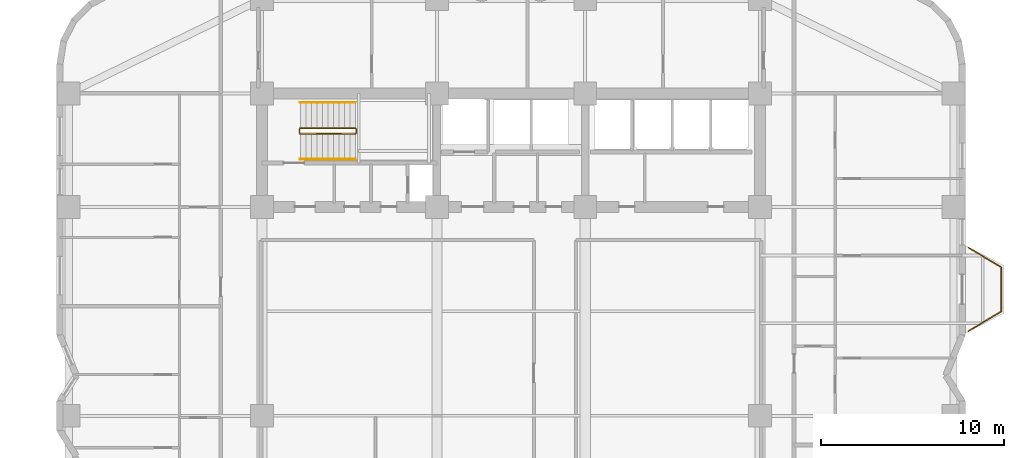
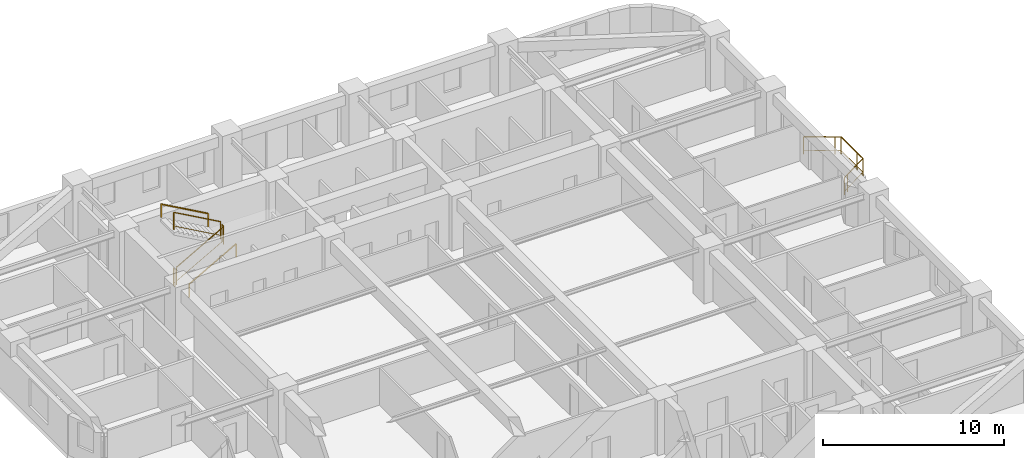
# One storey, part 10 of 10: 7 railings.
"""IFC4 building model written with IfcOpenShell, lengths in metres."""

from ifc_helpers import new_model, si_unit, direction, frame, origin, origin_2d, place, context, subcontext, project, spatial, rectangle, extrude, material, type_object, element, save


model = new_model("IFC4")

# Units and contexts
model_context = context("Model", 3, precision=1e-05, world=origin(), true_north=direction((0.0, 1.0)))
body_context = subcontext(model_context, "Body", "Model", "MODEL_VIEW")
ifc_project = project(units=[si_unit("LENGTHUNIT", "METRE"), si_unit("AREAUNIT", "SQUARE_METRE"), si_unit("VOLUMEUNIT", "CUBIC_METRE"), si_unit("PLANEANGLEUNIT", "RADIAN"), si_unit("MASSUNIT", "GRAM", prefix="KILO")], contexts=[model_context])

# Site, building, storey
site_placement = place(None, origin())
site = spatial("IfcSite", under=ifc_project, at=site_placement, CompositionType="ELEMENT")
building_placement = place(site_placement, origin())
building = spatial("IfcBuilding", under=site, at=building_placement, Name="Svetorya Sky Lyceum", CompositionType="ELEMENT")
storey_placement = place(building_placement, frame((0.0, 0.0, 43.60009765625)))
storey = spatial("IfcBuildingStorey", under=building, at=storey_placement, Name="L10", CompositionType="ELEMENT", Elevation=43.60009765625)

# Railings
ifc_material_1 = material(Name="Laminated safety glass and stainless AISI 316", Category="glass")
railing_type_1 = type_object("IfcRailingType", Name="RL-BAL-1200", PredefinedType="BALUSTRADE", material=ifc_material_1)
railing_1_placement = place(storey_placement, frame((64.169921875, 37.3798828125, 0.0)))
element("IfcRailing", 1, at=railing_1_placement, inside=storey, type_object=railing_type_1, Name="L10 Balcony Balustrade BAL-E1", PredefinedType="BALUSTRADE", context=body_context, shape_type="SweptSolid", body=[
    extrude(rectangle(XDim=0.048095703125, YDim=0.048095703125, at=origin_2d()), frame((0.0, 0.0, 1.17578125), z_axis=(0.85753397263, -0.514427337711, 0.0), x_axis=(0.514427337711, 0.85753397263, 0.0)), (0.0, 0.0, 1.0), 2.09912109375),
    extrude(rectangle(XDim=0.02392578125, YDim=0.02392578125, at=origin_2d()), frame((0.0, 0.0, 0.25), z_axis=(0.85753397263, -0.514427337711, 0.0), x_axis=(0.514427337711, 0.85753397263, 0.0)), (0.0, 0.0, 1.0), 2.09912109375),
    extrude(rectangle(XDim=0.048095703125, YDim=0.048095703125, at=origin_2d()), frame((1.800048828125, -1.079833984375, 1.17578125), z_axis=(0.0, -1.0, 0.0), x_axis=(1.0, 0.0, 0.0)), (0.0, 0.0, 1.0), 2.400146484375),
    extrude(rectangle(XDim=0.02392578125, YDim=0.02392578125, at=origin_2d()), frame((1.800048828125, -1.079833984375, 0.25), z_axis=(0.0, -1.0, 0.0), x_axis=(1.0, 0.0, 0.0)), (0.0, 0.0, 1.0), 2.400146484375),
    extrude(rectangle(XDim=0.048095703125, YDim=0.048095703125, at=origin_2d()), frame((1.800048828125, -3.47998046875, 1.17578125), z_axis=(-0.85753397263, -0.514427337711, 0.0), x_axis=(0.514427337711, -0.85753397263, 0.0)), (0.0, 0.0, 1.0), 2.09912109375),
    extrude(rectangle(XDim=0.02392578125, YDim=0.02392578125, at=origin_2d()), frame((1.800048828125, -3.47998046875, 0.25), z_axis=(-0.85753397263, -0.514427337711, 0.0), x_axis=(0.514427337711, -0.85753397263, 0.0)), (0.0, 0.0, 1.0), 2.09912109375),
    extrude(rectangle(XDim=0.0419921875, YDim=0.0419921875, at=origin_2d()), origin(), (0.0, 0.0, 1.0), 1.15185546875),
    extrude(rectangle(XDim=0.0419921875, YDim=0.0419921875, at=origin_2d()), frame((1.500732421875, -0.900146484375, 0.0)), (0.0, 0.0, 1.0), 1.15185546875),
    extrude(rectangle(XDim=0.0419921875, YDim=0.0419921875, at=origin_2d()), frame((1.800048828125, -1.079833984375, 0.0)), (0.0, 0.0, 1.0), 1.15185546875),
    extrude(rectangle(XDim=0.0419921875, YDim=0.0419921875, at=origin_2d()), frame((1.800048828125, -2.829833984375, 0.0)), (0.0, 0.0, 1.0), 1.15185546875),
    extrude(rectangle(XDim=0.0419921875, YDim=0.0419921875, at=origin_2d()), frame((1.800048828125, -3.47998046875, 0.0)), (0.0, 0.0, 1.0), 1.15185546875),
    extrude(rectangle(XDim=0.0419921875, YDim=0.0419921875, at=origin_2d()), frame((0.29931640625, -4.380126953125, 0.0)), (0.0, 0.0, 1.0), 1.15185546875),
    extrude(rectangle(XDim=0.0419921875, YDim=0.0419921875, at=origin_2d()), frame((0.0, -4.559814453125, 0.0)), (0.0, 0.0, 1.0), 1.15185546875),
])
ifc_material_2 = material(Name="Painted galvanized stair well guard")
railing_type_2 = type_object("IfcRailingType", Name="RL-STR-GUARD-1200", PredefinedType="GUARDRAIL", material=ifc_material_2)
railing_2_placement = place(storey_placement, frame((27.699951171875, 43.60009765625, 0.16796875)))
element("IfcRailing", 2, at=railing_2_placement, inside=storey, type_object=railing_type_2, Name="L10 ST-N stair guard 1", PredefinedType="GUARDRAIL", context=body_context, shape_type="SweptSolid", body=[
    extrude(rectangle(XDim=0.048095703125, YDim=0.048095703125, at=origin_2d()), frame((0.0, 0.0, 1.17578125), z_axis=(0.872272294576, 0.0, 0.489020494575), x_axis=(0.0, 1.0, 0.0)), (0.0, 0.0, 1.0), 3.439208984375),
    extrude(rectangle(XDim=0.02392578125, YDim=0.02392578125, at=origin_2d()), frame((0.0, 0.0, 0.25), z_axis=(0.872272294576, 0.0, 0.489020494575), x_axis=(0.0, 1.0, 0.0)), (0.0, 0.0, 1.0), 3.439208984375),
    extrude(rectangle(XDim=0.0419921875, YDim=0.0419921875, at=origin_2d()), origin(), (0.0, 0.0, 1.0), 1.15185546875),
    extrude(rectangle(XDim=0.0419921875, YDim=0.0419921875, at=origin_2d()), frame((3.0, 0.0, 1.681884765625)), (0.0, 0.0, 1.0), 1.15185546875),
])
railing_3_placement = place(storey_placement, frame((30.75, 43.64990234375, 1.849853515625)))
element("IfcRailing", 3, at=railing_3_placement, inside=storey, type_object=railing_type_2, Name="L10 ST-N stair guard 2", PredefinedType="GUARDRAIL", context=body_context, shape_type="SweptSolid", body=[
    extrude(rectangle(XDim=0.048095703125, YDim=0.048095703125, at=origin_2d()), frame((0.0, 0.0, 1.17578125), z_axis=(0.0, 1.0, 0.0), x_axis=(-1.0, 0.0, 0.0)), (0.0, 0.0, 1.0), 0.2001953125),
    extrude(rectangle(XDim=0.02392578125, YDim=0.02392578125, at=origin_2d()), frame((0.0, 0.0, 0.25), z_axis=(0.0, 1.0, 0.0), x_axis=(-1.0, 0.0, 0.0)), (0.0, 0.0, 1.0), 0.2001953125),
    extrude(rectangle(XDim=0.0419921875, YDim=0.0419921875, at=origin_2d()), origin(), (0.0, 0.0, 1.0), 1.15185546875),
    extrude(rectangle(XDim=0.0419921875, YDim=0.0419921875, at=origin_2d()), frame((0.0, 0.2001953125, 0.0)), (0.0, 0.0, 1.0), 1.15185546875),
])
railing_4_placement = place(storey_placement, frame((30.699951171875, 43.89990234375, 2.01806640625)))
element("IfcRailing", 4, at=railing_4_placement, inside=storey, type_object=railing_type_2, Name="L10 ST-N stair guard 3", PredefinedType="GUARDRAIL", context=body_context, shape_type="SweptSolid", body=[
    extrude(rectangle(XDim=0.048095703125, YDim=0.048095703125, at=origin_2d()), frame((0.0, 0.0, 1.17578125), z_axis=(-0.872272294576, 0.0, 0.489020494575), x_axis=(0.0, -1.0, 0.0)), (0.0, 0.0, 1.0), 3.439208984375),
    extrude(rectangle(XDim=0.02392578125, YDim=0.02392578125, at=origin_2d()), frame((0.0, 0.0, 0.25), z_axis=(-0.872272294576, 0.0, 0.489020494575), x_axis=(0.0, -1.0, 0.0)), (0.0, 0.0, 1.0), 3.439208984375),
    extrude(rectangle(XDim=0.0419921875, YDim=0.0419921875, at=origin_2d()), origin(), (0.0, 0.0, 1.0), 1.15185546875),
    extrude(rectangle(XDim=0.0419921875, YDim=0.0419921875, at=origin_2d()), frame((-3.0, 0.0, 1.681884765625)), (0.0, 0.0, 1.0), 1.15185546875),
])
railing_5_placement = place(storey_placement, frame((27.64990234375, 43.64990234375, 0.0)))
element("IfcRailing", 5, at=railing_5_placement, inside=storey, type_object=railing_type_2, Name="L10 ST-N stair guard 4", PredefinedType="GUARDRAIL", context=body_context, shape_type="SweptSolid", body=[
    extrude(rectangle(XDim=0.048095703125, YDim=0.048095703125, at=origin_2d()), frame((0.0, 0.0, 1.17578125), z_axis=(0.0, 1.0, 0.0), x_axis=(-1.0, 0.0, 0.0)), (0.0, 0.0, 1.0), 0.2001953125),
    extrude(rectangle(XDim=0.02392578125, YDim=0.02392578125, at=origin_2d()), frame((0.0, 0.0, 0.25), z_axis=(0.0, 1.0, 0.0), x_axis=(-1.0, 0.0, 0.0)), (0.0, 0.0, 1.0), 0.2001953125),
    extrude(rectangle(XDim=0.0419921875, YDim=0.0419921875, at=origin_2d()), origin(), (0.0, 0.0, 1.0), 1.15185546875),
    extrude(rectangle(XDim=0.0419921875, YDim=0.0419921875, at=origin_2d()), frame((0.0, 0.2001953125, 0.0)), (0.0, 0.0, 1.0), 1.15185546875),
])
ifc_material_3 = material(Name="Brushed stainless AISI 304 stair handrail")
railing_type_3 = type_object("IfcRailingType", Name="RL-STR-HAND-920", PredefinedType="HANDRAIL", material=ifc_material_3)
railing_6_placement = place(storey_placement, frame((27.699951171875, 42.199951171875, 0.16796875)))
element("IfcRailing", 6, at=railing_6_placement, inside=storey, type_object=railing_type_3, Name="L10 ST-N stair handrail 1", PredefinedType="HANDRAIL", context=body_context, shape_type="SweptSolid", body=[
    extrude(rectangle(XDim=0.048095703125, YDim=0.048095703125, at=origin_2d()), frame((0.0, 0.0, 0.8759765625), z_axis=(0.872272294576, 0.0, 0.489020494575), x_axis=(0.0, 1.0, 0.0)), (0.0, 0.0, 1.0), 3.439208984375),
    extrude(rectangle(XDim=0.0419921875, YDim=0.0419921875, at=origin_2d()), origin(), (0.0, 0.0, 1.0), 0.851806640625),
    extrude(rectangle(XDim=0.0419921875, YDim=0.0419921875, at=origin_2d()), frame((3.0, 0.0, 1.681884765625)), (0.0, 0.0, 1.0), 0.851806640625),
])
railing_7_placement = place(storey_placement, frame((30.699951171875, 45.300048828125, 2.01806640625)))
element("IfcRailing", 7, at=railing_7_placement, inside=storey, type_object=railing_type_3, Name="L10 ST-N stair handrail 2", PredefinedType="HANDRAIL", context=body_context, shape_type="SweptSolid", body=[
    extrude(rectangle(XDim=0.048095703125, YDim=0.048095703125, at=origin_2d()), frame((0.0, 0.0, 0.8759765625), z_axis=(-0.872272294576, 0.0, 0.489020494575), x_axis=(0.0, -1.0, 0.0)), (0.0, 0.0, 1.0), 3.439208984375),
    extrude(rectangle(XDim=0.0419921875, YDim=0.0419921875, at=origin_2d()), origin(), (0.0, 0.0, 1.0), 0.851806640625),
    extrude(rectangle(XDim=0.0419921875, YDim=0.0419921875, at=origin_2d()), frame((-3.0, 0.0, 1.681884765625)), (0.0, 0.0, 1.0), 0.851806640625),
])

save(model, "model.ifc")
